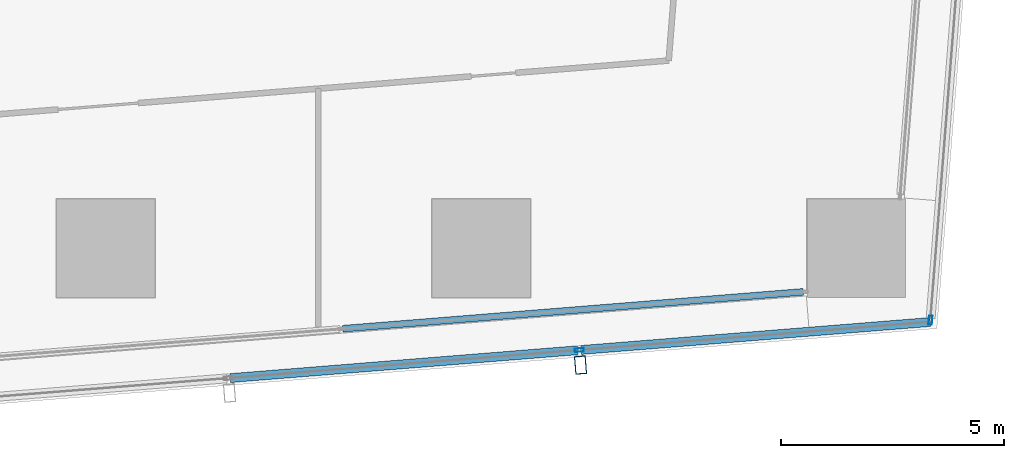
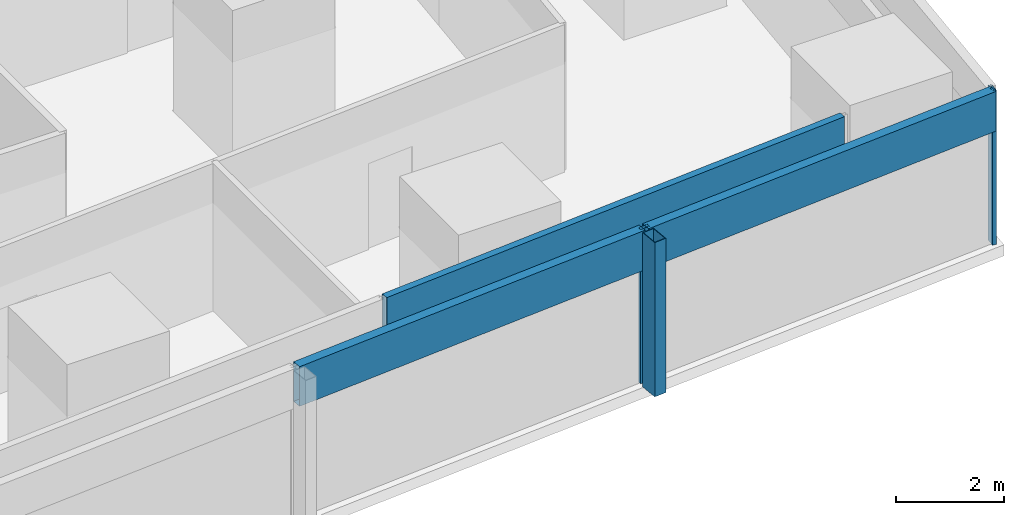
# One storey, part 11 of 42: 6 members, 3 elements without a shape of their own.
"""IFC4 building model written with IfcOpenShell, lengths in metres."""

from ifc_helpers import new_model, si_unit, direction, frame, origin, origin_2d, place, context, subcontext, project, spatial, hollow_rectangle, extrude, material, material_profile, profile_set, type_object, element, aggregate, save


model = new_model("IFC4")

# Units and contexts
model_context = context("Model", 3, precision=1e-05, world=origin(), true_north=direction((0.0, 1.0)))
body_context = subcontext(model_context, "Body", "Model", "MODEL_VIEW")
ifc_project = project(units=[si_unit("LENGTHUNIT", "METRE"), si_unit("AREAUNIT", "SQUARE_METRE"), si_unit("VOLUMEUNIT", "CUBIC_METRE"), si_unit("PLANEANGLEUNIT", "RADIAN"), si_unit("MASSUNIT", "GRAM", prefix="KILO")], contexts=[model_context])

# Site, building, storey
site_placement = place(None, origin())
site = spatial("IfcSite", under=ifc_project, at=site_placement, CompositionType="ELEMENT")
building_placement = place(site_placement, origin())
building = spatial("IfcBuilding", under=site, at=building_placement, Name="Rekha Terrace Tower", CompositionType="ELEMENT")
storey_placement = place(building_placement, frame((0.0, 0.0, 70.39990234375)))
storey = spatial("IfcBuildingStorey", under=building, at=storey_placement, Name="L17", CompositionType="ELEMENT", Elevation=70.39990234375)

# Curtain wall, member
ifc_material_1 = material(Name="Aluminium framing", Category="aluminium")
curtain_wall_type_1 = type_object("IfcCurtainWallType", Name="CW2 double skin outer glazing", PredefinedType="USERDEFINED", material=ifc_material_1)
curtain_wall_1_placement = place(storey_placement, origin())
curtain_wall_1 = element("IfcCurtainWall", 1, at=curtain_wall_1_placement, inside=storey, type_object=curtain_wall_type_1, Name="CW2 double skin outer glazing", ObjectType="DOUBLE SKIN OUTER GLAZING", PredefinedType="USERDEFINED")
ifc_material_2 = material(Name="Steel S355 with fluorocarbon finish", Category="steel")
ifc_material_profile_1 = material_profile(ifc_material_2, hollow_rectangle(XDim=0.25, YDim=0.39990234375, WallThickness=0.012451171875, at=origin_2d()), Name="RHS400x250x12.5")
ifc_profile_set_1 = profile_set([ifc_material_profile_1], Name="Steel S355 with fluorocarbon finish")
member_type_1 = type_object("IfcMemberType", Name="BL1 facade blade RHS 400 x 250", PredefinedType="USERDEFINED", material=ifc_profile_set_1)
member_1_placement = place(storey_placement, frame((61.022705078125, 5.78515625, 0.0), z_axis=(0.0, 0.0, 1.0), x_axis=(0.996805139821, 0.079871855039, 0.0)))
member_1 = element("IfcMember", 2, at=member_1_placement, type_object=member_type_1, Name="Facade blade", ObjectType="FACADE BLADE", PredefinedType="USERDEFINED", context=body_context, shape_type="SweptSolid", body=[
    extrude(hollow_rectangle(XDim=0.25, YDim=0.39990234375, WallThickness=0.012451171875, at=origin_2d()), origin(), (0.0, 0.0, 1.0), 3.5),
])

curtain_wall_type_2 = type_object("IfcCurtainWallType", Name="CW1 double skin inner glazing", PredefinedType="USERDEFINED", material=ifc_material_1)
curtain_wall_2_placement = place(storey_placement, origin())
curtain_wall_2 = element("IfcCurtainWall", 3, at=curtain_wall_2_placement, inside=storey, type_object=curtain_wall_type_2, Name="CW1 double skin inner glazing", ObjectType="DOUBLE SKIN INNER GLAZING", PredefinedType="USERDEFINED")
ifc_material_3 = material(Name="Insulated aluminium spandrel box", Category="aluminium")
ifc_material_profile_2 = material_profile(ifc_material_3, hollow_rectangle(XDim=0.14990234375, YDim=0.89990234375, WallThickness=0.0029296875, at=origin_2d()), Name="AL SPANDREL BOX 150x900")
ifc_profile_set_2 = profile_set([ifc_material_profile_2], Name="Insulated aluminium spandrel box")
member_type_2 = type_object("IfcMemberType", Name="CW1 spandrel transom 150 x 900", PredefinedType="USERDEFINED", material=ifc_profile_set_2)
member_2_placement = place(storey_placement, frame((55.704345703125, 6.59814453125, 3.050048828125), z_axis=(0.996806184606, 0.079858814989, 0.0), x_axis=(-0.079858814989, 0.996806184606, 0.0)))
member_2 = element("IfcMember", 4, at=member_2_placement, type_object=member_type_2, Name="CW1 spandrel transom 2", ObjectType="TRANSOM", PredefinedType="USERDEFINED", context=body_context, shape_type="SweptSolid", body=[
    extrude(hollow_rectangle(XDim=0.14990234375, YDim=0.89990234375, WallThickness=0.0029296875, at=origin_2d()), origin(), (0.0, 0.0, 1.0), 10.336181640625),
])
aggregate(curtain_wall_2, [member_2])

# Member
ifc_material_4 = material(Name="Aluminium mullion section", Category="aluminium")
ifc_material_profile_3 = material_profile(ifc_material_4, hollow_rectangle(XDim=0.080078125, YDim=0.199951171875, WallThickness=0.00390625, at=origin_2d()), Name="AL RHS 80x200")
ifc_profile_set_3 = profile_set([ifc_material_profile_3], Name="Aluminium mullion section")
member_type_3 = type_object("IfcMemberType", Name="CW2 mullion RHS 80 x 200", PredefinedType="MULLION", material=ifc_profile_set_3)
member_3_placement = place(storey_placement, frame((60.99609375, 6.119140625, 0.0), z_axis=(0.0, 0.0, 1.0), x_axis=(-0.079872204468, 0.996805111821, 0.0)))
member_3 = element("IfcMember", 5, at=member_3_placement, type_object=member_type_3, Name="CW2 mullion 3", PredefinedType="MULLION", context=body_context, shape_type="SweptSolid", body=[
    extrude(hollow_rectangle(XDim=0.080078125, YDim=0.199951171875, WallThickness=0.00390625, at=origin_2d()), origin(), (0.0, 0.0, 1.0), 3.5),
])

# Curtain wall, member
curtain_wall_3_placement = place(storey_placement, origin())
curtain_wall_3 = element("IfcCurtainWall", 6, at=curtain_wall_3_placement, inside=storey, type_object=curtain_wall_type_1, Name="CW2 double skin outer glazing", ObjectType="DOUBLE SKIN OUTER GLAZING", PredefinedType="USERDEFINED")
member_4_placement = place(storey_placement, frame((68.8544921875, 6.78857421875, 0.0), z_axis=(0.0, 0.0, 1.0), x_axis=(-0.996865392578, 0.079116300982, 0.0)))
member_4 = element("IfcMember", 7, at=member_4_placement, type_object=member_type_3, Name="CW2 mullion 1", PredefinedType="MULLION", context=body_context, shape_type="SweptSolid", body=[
    extrude(hollow_rectangle(XDim=0.080078125, YDim=0.199951171875, WallThickness=0.00390625, at=origin_2d()), origin(), (0.0, 0.0, 1.0), 3.5),
])
aggregate(curtain_wall_3, [member_4])

# Member
ifc_material_profile_4 = material_profile(ifc_material_3, hollow_rectangle(XDim=0.199951171875, YDim=0.89990234375, WallThickness=0.0029296875, at=origin_2d()), Name="AL SPANDREL BOX 200x900")
ifc_profile_set_4 = profile_set([ifc_material_profile_4], Name="Insulated aluminium spandrel box")
member_type_4 = type_object("IfcMemberType", Name="CW2 spandrel transom 200 x 900", PredefinedType="USERDEFINED", material=ifc_profile_set_4)
member_5_placement = place(storey_placement, frame((53.1806640625, 5.492919921875, 3.050048828125), z_axis=(0.996804920132, 0.079874596715, 0.0), x_axis=(-0.079874596715, 0.996804920132, 0.0)))
member_5 = element("IfcMember", 8, at=member_5_placement, type_object=member_type_4, Name="CW2 spandrel transom 2", ObjectType="TRANSOM", PredefinedType="USERDEFINED", context=body_context, shape_type="SweptSolid", body=[
    extrude(hollow_rectangle(XDim=0.199951171875, YDim=0.89990234375, WallThickness=0.0029296875, at=origin_2d()), origin(), (0.0, 0.0, 1.0), 7.80029296875),
])

member_6_placement = place(storey_placement, frame((61.035888671875, 6.122314453125, 3.050048828125), z_axis=(0.996805270739, 0.07987022115, 0.0), x_axis=(-0.07987022115, 0.996805270739, 0.0)))
member_6 = element("IfcMember", 9, at=member_6_placement, type_object=member_type_4, Name="CW2 spandrel transom 3", ObjectType="TRANSOM", PredefinedType="USERDEFINED", context=body_context, shape_type="SweptSolid", body=[
    extrude(hollow_rectangle(XDim=0.199951171875, YDim=0.89990234375, WallThickness=0.0029296875, at=origin_2d()), origin(), (0.0, 0.0, 1.0), 7.840576171875),
])

aggregate(curtain_wall_1, [member_3, member_5, member_6, member_1])

save(model, "model.ifc")
